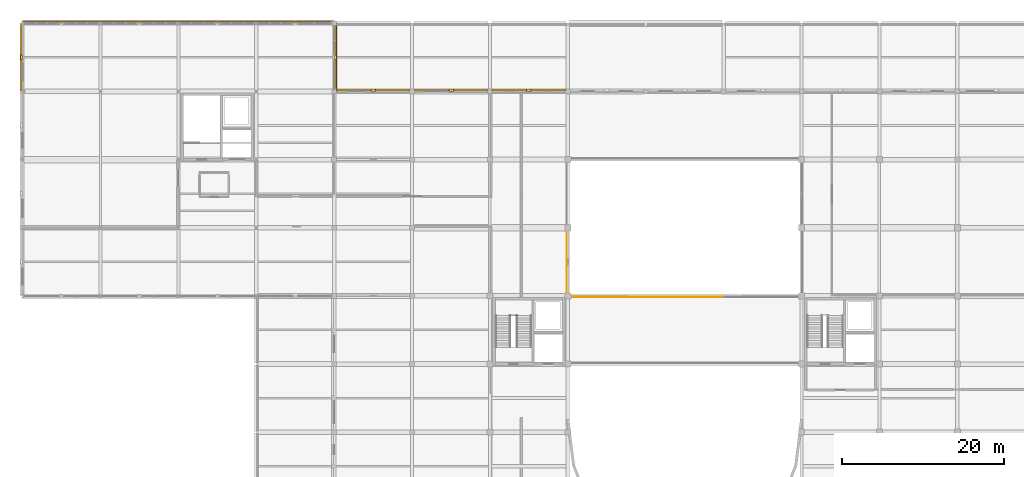
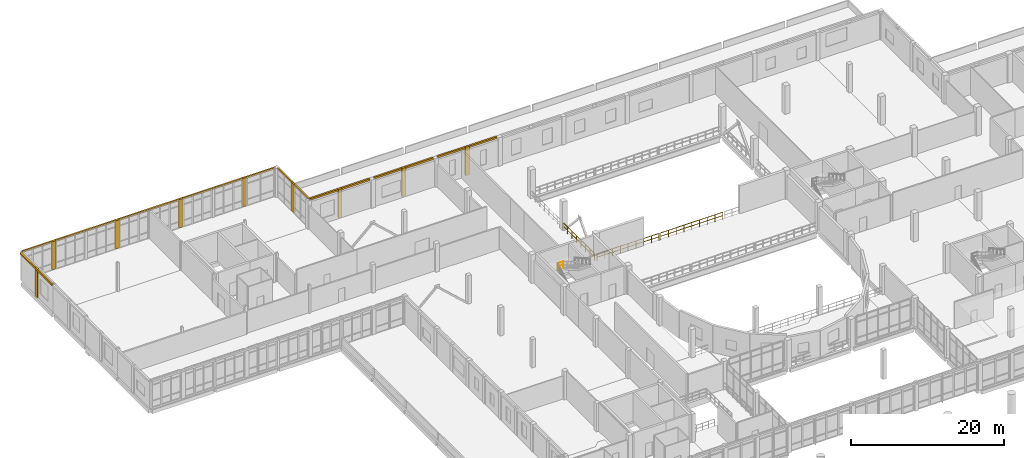
# One storey, part 86 of 88: 18 coverings, 4 railings.
"""IFC4 building model written with IfcOpenShell, lengths in metres."""

from ifc_helpers import new_model, si_unit, direction, frame, origin, origin_2d, place, context, subcontext, project, spatial, polyline, circle, outline, extrude, material, layer, layer_set, type_object, element, save


model = new_model("IFC4")

# Units and contexts
model_context = context("Model", 3, precision=1e-05, world=origin(), true_north=direction((0.0, 1.0)))
body_context = subcontext(model_context, "Body", "Model", "MODEL_VIEW")
ifc_project = project(units=[si_unit("LENGTHUNIT", "METRE"), si_unit("AREAUNIT", "SQUARE_METRE"), si_unit("VOLUMEUNIT", "CUBIC_METRE"), si_unit("PLANEANGLEUNIT", "RADIAN"), si_unit("MASSUNIT", "GRAM", prefix="KILO")], contexts=[model_context])

# Site, building, storey
site_placement = place(None, origin())
site = spatial("IfcSite", under=ifc_project, at=site_placement, CompositionType="ELEMENT")
building_placement = place(site_placement, origin())
building = spatial("IfcBuilding", under=site, at=building_placement, Name="Lornevale Opera House", CompositionType="ELEMENT")
storey_placement = place(building_placement, frame((0.0, 0.0, 10.199951171875)))
storey = spatial("IfcBuildingStorey", under=building, at=storey_placement, Name="L03", CompositionType="ELEMENT", Elevation=10.199951171875)

# Railings
ifc_material_1 = material(Name="Structural Steel CSA G40.21 Grade 350W (350 MPa)", Category="steel")
ifc_layer_1 = layer(ifc_material_1, 0.06005859375)
ifc_layer_set_1 = layer_set([ifc_layer_1], Name="Structural Steel CSA G40.21 Grade 350W (350 MPa)")
railing_type_1 = type_object("IfcRailingType", Name="Atrium Acoustic Balustrade 1120", PredefinedType="BALUSTRADE", material=ifc_layer_set_1)
railing_1_placement = place(storey_placement, frame((67.06005859375, 67.320068359375, 0.0)))
element("IfcRailing", 1, at=railing_1_placement, inside=storey, type_object=railing_type_1, Name="Atrium & Bowl Balustrade L03 0350", PredefinedType="BALUSTRADE", context=body_context, shape_type="SweptSolid", body=[
    extrude(circle(Radius=0.02392578125, at=origin_2d()), frame((0.0, 0.0, 1.09619140625), z_axis=(0.0, 1.0, 0.0), x_axis=(-1.0, 0.0, 0.0)), (0.0, 0.0, 1.0), 8.159912109375),
    extrude(circle(Radius=0.02392578125, at=origin_2d()), frame((0.0, 0.0, 0.56005859375), z_axis=(0.0, 1.0, 0.0), x_axis=(-1.0, 0.0, 0.0)), (0.0, 0.0, 1.0), 8.159912109375),
    extrude(circle(Radius=0.02099609375, at=origin_2d()), origin(), (0.0, 0.0, 1.0), 1.072021484375),
    extrude(circle(Radius=0.02099609375, at=origin_2d()), frame((0.0, 1.165771484375, 0.0)), (0.0, 0.0, 1.0), 1.072021484375),
    extrude(circle(Radius=0.02099609375, at=origin_2d()), frame((0.0, 2.331298828125, 0.0)), (0.0, 0.0, 1.0), 1.072021484375),
    extrude(circle(Radius=0.02099609375, at=origin_2d()), frame((0.0, 3.4970703125, 0.0)), (0.0, 0.0, 1.0), 1.072021484375),
    extrude(circle(Radius=0.02099609375, at=origin_2d()), frame((0.0, 4.662841796875, 0.0)), (0.0, 0.0, 1.0), 1.072021484375),
    extrude(circle(Radius=0.02099609375, at=origin_2d()), frame((0.0, 5.82861328125, 0.0)), (0.0, 0.0, 1.0), 1.072021484375),
    extrude(circle(Radius=0.02099609375, at=origin_2d()), frame((0.0, 6.994140625, 0.0)), (0.0, 0.0, 1.0), 1.072021484375),
    extrude(circle(Radius=0.02099609375, at=origin_2d()), frame((0.0, 8.159912109375, 0.0)), (0.0, 0.0, 1.0), 1.072021484375),
])
railing_2_placement = place(storey_placement, frame((67.320068359375, 67.06005859375, 0.0)))
element("IfcRailing", 2, at=railing_2_placement, inside=storey, type_object=railing_type_1, Name="Atrium & Bowl Balustrade L03 0355", PredefinedType="BALUSTRADE", context=body_context, shape_type="SweptSolid", body=[
    extrude(circle(Radius=0.02392578125, at=origin_2d()), frame((0.0, 0.0, 1.09619140625), z_axis=(1.0, 0.0, 0.0), x_axis=(0.0, 1.0, 0.0)), (0.0, 0.0, 1.0), 9.35986328125),
    extrude(circle(Radius=0.02392578125, at=origin_2d()), frame((0.0, 0.0, 0.56005859375), z_axis=(1.0, 0.0, 0.0), x_axis=(0.0, 1.0, 0.0)), (0.0, 0.0, 1.0), 9.35986328125),
    extrude(circle(Radius=0.02099609375, at=origin_2d()), origin(), (0.0, 0.0, 1.0), 1.072021484375),
    extrude(circle(Radius=0.02099609375, at=origin_2d()), frame((1.169921875, 0.0, 0.0)), (0.0, 0.0, 1.0), 1.072021484375),
    extrude(circle(Radius=0.02099609375, at=origin_2d()), frame((2.33984375, 0.0, 0.0)), (0.0, 0.0, 1.0), 1.072021484375),
    extrude(circle(Radius=0.02099609375, at=origin_2d()), frame((3.510009765625, 0.0, 0.0)), (0.0, 0.0, 1.0), 1.072021484375),
    extrude(circle(Radius=0.02099609375, at=origin_2d()), frame((4.679931640625, 0.0, 0.0)), (0.0, 0.0, 1.0), 1.072021484375),
    extrude(circle(Radius=0.02099609375, at=origin_2d()), frame((5.849853515625, 0.0, 0.0)), (0.0, 0.0, 1.0), 1.072021484375),
    extrude(circle(Radius=0.02099609375, at=origin_2d()), frame((7.02001953125, 0.0, 0.0)), (0.0, 0.0, 1.0), 1.072021484375),
    extrude(circle(Radius=0.02099609375, at=origin_2d()), frame((8.18994140625, 0.0, 0.0)), (0.0, 0.0, 1.0), 1.072021484375),
    extrude(circle(Radius=0.02099609375, at=origin_2d()), frame((9.35986328125, 0.0, 0.0)), (0.0, 0.0, 1.0), 1.072021484375),
])
railing_3_placement = place(storey_placement, frame((76.919921875, 67.06005859375, 0.0)))
element("IfcRailing", 3, at=railing_3_placement, inside=storey, type_object=railing_type_1, Name="Atrium & Bowl Balustrade L03 0360", PredefinedType="BALUSTRADE", context=body_context, shape_type="SweptSolid", body=[
    extrude(circle(Radius=0.02392578125, at=origin_2d()), frame((0.0, 0.0, 1.09619140625), z_axis=(1.0, 0.0, 0.0), x_axis=(0.0, 1.0, 0.0)), (0.0, 0.0, 1.0), 9.360107421875),
    extrude(circle(Radius=0.02392578125, at=origin_2d()), frame((0.0, 0.0, 0.56005859375), z_axis=(1.0, 0.0, 0.0), x_axis=(0.0, 1.0, 0.0)), (0.0, 0.0, 1.0), 9.360107421875),
    extrude(circle(Radius=0.02099609375, at=origin_2d()), origin(), (0.0, 0.0, 1.0), 1.072021484375),
    extrude(circle(Radius=0.02099609375, at=origin_2d()), frame((1.169921875, 0.0, 0.0)), (0.0, 0.0, 1.0), 1.072021484375),
    extrude(circle(Radius=0.02099609375, at=origin_2d()), frame((2.340087890625, 0.0, 0.0)), (0.0, 0.0, 1.0), 1.072021484375),
    extrude(circle(Radius=0.02099609375, at=origin_2d()), frame((3.510009765625, 0.0, 0.0)), (0.0, 0.0, 1.0), 1.072021484375),
    extrude(circle(Radius=0.02099609375, at=origin_2d()), frame((4.68017578125, 0.0, 0.0)), (0.0, 0.0, 1.0), 1.072021484375),
    extrude(circle(Radius=0.02099609375, at=origin_2d()), frame((5.85009765625, 0.0, 0.0)), (0.0, 0.0, 1.0), 1.072021484375),
    extrude(circle(Radius=0.02099609375, at=origin_2d()), frame((7.02001953125, 0.0, 0.0)), (0.0, 0.0, 1.0), 1.072021484375),
    extrude(circle(Radius=0.02099609375, at=origin_2d()), frame((8.190185546875, 0.0, 0.0)), (0.0, 0.0, 1.0), 1.072021484375),
    extrude(circle(Radius=0.02099609375, at=origin_2d()), frame((9.360107421875, 0.0, 0.0)), (0.0, 0.0, 1.0), 1.072021484375),
])

# Coverings
ifc_material_2 = material(Name="Precast Concrete 40 MPa (CSA A23.1 C-1)", Category="concrete")
ifc_layer_2 = layer(ifc_material_2, 0.260009765625)
ifc_layer_set_2 = layer_set([ifc_layer_2], Name="Precast Concrete 40 MPa (CSA A23.1 C-1)")
covering_type_1 = type_object("IfcCoveringType", Name="Postmodern Sandstone Pilaster Rib", PredefinedType="CLADDING", material=ifc_layer_set_2)
covering_1_placement = place(storey_placement, origin())
element("IfcCovering", 4, at=covering_1_placement, inside=storey, type_object=covering_type_1, Name="Postmodern Sandstone Mullion Pier 0267", PredefinedType="CLADDING", context=body_context, shape_type="SweptSolid", body=[
    extrude(outline(polyline([(4.52001953125, 100.800048828125), (5.080078125, 100.800048828125), (5.080078125, 101.080078125), (4.52001953125, 101.080078125), (4.52001953125, 100.800048828125)])), origin(), (0.0, 0.0, 1.0), 4.5400390625),
])
covering_2_placement = place(storey_placement, origin())
element("IfcCovering", 5, at=covering_2_placement, inside=storey, type_object=covering_type_1, Name="Postmodern Sandstone Pilaster 0269", PredefinedType="CLADDING", context=body_context, shape_type="SweptSolid", body=[
    extrude(outline(polyline([(0.0, 96.320068359375), (0.0, 96.8798828125), (-0.280029296875, 96.8798828125), (-0.280029296875, 96.320068359375), (0.0, 96.320068359375)])), origin(), (0.0, 0.0, 1.0), 4.5400390625),
])
covering_3_placement = place(storey_placement, origin())
element("IfcCovering", 6, at=covering_3_placement, inside=storey, type_object=covering_type_1, Name="Postmodern Sandstone Mullion Pier 0277", PredefinedType="CLADDING", context=body_context, shape_type="SweptSolid", body=[
    extrude(outline(polyline([(14.1201171875, 100.800048828125), (14.679931640625, 100.800048828125), (14.679931640625, 101.080078125), (14.1201171875, 101.080078125), (14.1201171875, 100.800048828125)])), origin(), (0.0, 0.0, 1.0), 4.5400390625),
])
covering_4_placement = place(storey_placement, origin())
element("IfcCovering", 7, at=covering_4_placement, inside=storey, type_object=covering_type_1, Name="Postmodern Sandstone Mullion Pier 0285", PredefinedType="CLADDING", context=body_context, shape_type="SweptSolid", body=[
    extrude(outline(polyline([(23.719970703125, 100.800048828125), (24.280029296875, 100.800048828125), (24.280029296875, 101.080078125), (23.719970703125, 101.080078125), (23.719970703125, 100.800048828125)])), origin(), (0.0, 0.0, 1.0), 4.5400390625),
])
covering_5_placement = place(storey_placement, origin())
element("IfcCovering", 8, at=covering_5_placement, inside=storey, type_object=covering_type_1, Name="Postmodern Sandstone Mullion Pier 0297", PredefinedType="CLADDING", context=body_context, shape_type="SweptSolid", body=[
    extrude(outline(polyline([(33.320068359375, 100.800048828125), (33.8798828125, 100.800048828125), (33.8798828125, 101.080078125), (33.320068359375, 101.080078125), (33.320068359375, 100.800048828125)])), origin(), (0.0, 0.0, 1.0), 4.5400390625),
])
covering_6_placement = place(storey_placement, origin())
element("IfcCovering", 9, at=covering_6_placement, inside=storey, type_object=covering_type_1, Name="Postmodern Sandstone Mullion Pier 0299", PredefinedType="CLADDING", context=body_context, shape_type="SweptSolid", body=[
    extrude(outline(polyline([(38.39990234375, 96.8798828125), (38.39990234375, 96.320068359375), (38.679931640625, 96.320068359375), (38.679931640625, 96.8798828125), (38.39990234375, 96.8798828125)])), origin(), (0.0, 0.0, 1.0), 4.5400390625),
])
covering_7_placement = place(storey_placement, origin())
element("IfcCovering", 10, at=covering_7_placement, inside=storey, type_object=covering_type_1, Name="Postmodern Sandstone Pilaster 0313", PredefinedType="CLADDING", context=body_context, shape_type="SweptSolid", body=[
    extrude(outline(polyline([(42.907958984375, 92.39990234375), (43.468017578125, 92.39990234375), (43.468017578125, 92.679931640625), (42.907958984375, 92.679931640625), (42.907958984375, 92.39990234375)])), origin(), (0.0, 0.0, 1.0), 4.5400390625),
])
covering_8_placement = place(storey_placement, origin())
element("IfcCovering", 11, at=covering_8_placement, inside=storey, type_object=covering_type_1, Name="Postmodern Sandstone Pilaster 0317", PredefinedType="CLADDING", context=body_context, shape_type="SweptSolid", body=[
    extrude(outline(polyline([(52.531982421875, 92.39990234375), (53.092041015625, 92.39990234375), (53.092041015625, 92.679931640625), (52.531982421875, 92.679931640625), (52.531982421875, 92.39990234375)])), origin(), (0.0, 0.0, 1.0), 4.5400390625),
])
covering_9_placement = place(storey_placement, origin())
element("IfcCovering", 12, at=covering_9_placement, inside=storey, type_object=covering_type_1, Name="Postmodern Sandstone Pilaster 0321", PredefinedType="CLADDING", context=body_context, shape_type="SweptSolid", body=[
    extrude(outline(polyline([(62.10791015625, 92.39990234375), (62.66796875, 92.39990234375), (62.66796875, 92.679931640625), (62.10791015625, 92.679931640625), (62.10791015625, 92.39990234375)])), origin(), (0.0, 0.0, 1.0), 4.5400390625),
])
ifc_material_3 = material(Name="Queenston Buff Limestone Ashlar Masonry (25 MPa)", Category="masonry")
ifc_layer_3 = layer(ifc_material_3, 0.1201171875)
ifc_layer_set_3 = layer_set([ifc_layer_3], Name="Queenston Buff Limestone Ashlar Masonry (25 MPa)")
covering_type_2 = type_object("IfcCoveringType", Name="Precast Limestone Cornice Band", PredefinedType="CLADDING", material=ifc_layer_set_3)
covering_10_placement = place(storey_placement, frame((0.0, 0.0, 4.280029296875)))
element("IfcCovering", 13, at=covering_10_placement, inside=storey, type_object=covering_type_2, Name="Precast Limestone Cornice Band 0268", PredefinedType="CLADDING", context=body_context, shape_type="SweptSolid", body=[
    extrude(outline(polyline([(0.0, 100.8798828125), (9.60009765625, 100.8798828125), (9.60009765625, 101.1201171875), (0.0, 101.1201171875), (0.0, 100.8798828125)])), origin(), (0.0, 0.0, 1.0), 0.260009765625),
])
covering_11_placement = place(storey_placement, frame((0.0, 0.0, 4.260009765625)))
element("IfcCovering", 14, at=covering_11_placement, inside=storey, type_object=covering_type_2, Name="Precast Limestone Cornice Band 0270", PredefinedType="CLADDING", context=body_context, shape_type="SweptSolid", body=[
    extrude(outline(polyline([(-0.06005859375, 92.419921875), (-0.06005859375, 100.780029296875), (-0.320068359375, 100.780029296875), (-0.320068359375, 92.419921875), (-0.06005859375, 92.419921875)])), origin(), (0.0, 0.0, 1.0), 0.280029296875),
])
covering_12_placement = place(storey_placement, frame((0.0, 0.0, 4.280029296875)))
element("IfcCovering", 15, at=covering_12_placement, inside=storey, type_object=covering_type_2, Name="Precast Limestone Cornice Band 0278", PredefinedType="CLADDING", context=body_context, shape_type="SweptSolid", body=[
    extrude(outline(polyline([(9.60009765625, 100.8798828125), (19.199951171875, 100.8798828125), (19.199951171875, 101.1201171875), (9.60009765625, 101.1201171875), (9.60009765625, 100.8798828125)])), origin(), (0.0, 0.0, 1.0), 0.260009765625),
])
covering_13_placement = place(storey_placement, frame((0.0, 0.0, 4.280029296875)))
element("IfcCovering", 16, at=covering_13_placement, inside=storey, type_object=covering_type_2, Name="Precast Limestone Cornice Band 0286", PredefinedType="CLADDING", context=body_context, shape_type="SweptSolid", body=[
    extrude(outline(polyline([(19.199951171875, 100.8798828125), (28.800048828125, 100.8798828125), (28.800048828125, 101.1201171875), (19.199951171875, 101.1201171875), (19.199951171875, 100.8798828125)])), origin(), (0.0, 0.0, 1.0), 0.260009765625),
])
covering_14_placement = place(storey_placement, frame((0.0, 0.0, 4.280029296875)))
element("IfcCovering", 17, at=covering_14_placement, inside=storey, type_object=covering_type_2, Name="Precast Limestone Cornice Band 0298", PredefinedType="CLADDING", context=body_context, shape_type="SweptSolid", body=[
    extrude(outline(polyline([(28.800048828125, 100.8798828125), (38.39990234375, 100.8798828125), (38.39990234375, 101.1201171875), (28.800048828125, 101.1201171875), (28.800048828125, 100.8798828125)])), origin(), (0.0, 0.0, 1.0), 0.260009765625),
])
covering_15_placement = place(storey_placement, frame((0.0, 0.0, 4.280029296875)))
element("IfcCovering", 18, at=covering_15_placement, inside=storey, type_object=covering_type_2, Name="Precast Limestone Cornice Band 0300", PredefinedType="CLADDING", context=body_context, shape_type="SweptSolid", body=[
    extrude(outline(polyline([(38.47998046875, 100.800048828125), (38.47998046875, 92.39990234375), (38.719970703125, 92.39990234375), (38.719970703125, 100.800048828125), (38.47998046875, 100.800048828125)])), origin(), (0.0, 0.0, 1.0), 0.260009765625),
])
covering_16_placement = place(storey_placement, frame((0.0, 0.0, 4.260009765625)))
element("IfcCovering", 19, at=covering_16_placement, inside=storey, type_object=covering_type_2, Name="Precast Limestone Cornice Band 0314", PredefinedType="CLADDING", context=body_context, shape_type="SweptSolid", body=[
    extrude(outline(polyline([(38.675048828125, 92.4599609375), (47.699951171875, 92.4599609375), (47.699951171875, 92.719970703125), (38.675048828125, 92.719970703125), (38.675048828125, 92.4599609375)])), origin(), (0.0, 0.0, 1.0), 0.280029296875),
])
covering_17_placement = place(storey_placement, frame((0.0, 0.0, 4.260009765625)))
element("IfcCovering", 20, at=covering_17_placement, inside=storey, type_object=covering_type_2, Name="Precast Limestone Cornice Band 0318", PredefinedType="CLADDING", context=body_context, shape_type="SweptSolid", body=[
    extrude(outline(polyline([(48.300048828125, 92.4599609375), (57.324951171875, 92.4599609375), (57.324951171875, 92.719970703125), (48.300048828125, 92.719970703125), (48.300048828125, 92.4599609375)])), origin(), (0.0, 0.0, 1.0), 0.280029296875),
])
covering_18_placement = place(storey_placement, frame((0.0, 0.0, 4.260009765625)))
element("IfcCovering", 21, at=covering_18_placement, inside=storey, type_object=covering_type_2, Name="Precast Limestone Cornice Band 0322", PredefinedType="CLADDING", context=body_context, shape_type="SweptSolid", body=[
    extrude(outline(polyline([(57.875, 92.4599609375), (66.89990234375, 92.4599609375), (66.89990234375, 92.719970703125), (57.875, 92.719970703125), (57.875, 92.4599609375)])), origin(), (0.0, 0.0, 1.0), 0.280029296875),
])

# Railing
ifc_layer_4 = layer(ifc_material_1, 0.050048828125)
ifc_layer_set_4 = layer_set([ifc_layer_4], Name="Structural Steel CSA G40.21 Grade 350W (350 MPa)")
railing_type_2 = type_object("IfcRailingType", Name="Stair Well Guardrail 1100", PredefinedType="GUARDRAIL", material=ifc_layer_set_4)
railing_4_placement = place(storey_placement, frame((60.080078125, 64.81005859375, 2.400146484375)))
element("IfcRailing", 22, at=railing_4_placement, inside=storey, type_object=railing_type_2, Name="ST-18 Half-Landing Slot Guard", PredefinedType="GUARDRAIL", context=body_context, shape_type="SweptSolid", body=[
    extrude(circle(Radius=0.02392578125, at=origin_2d()), frame((0.0, 0.0, 1.076171875), z_axis=(1.0, 0.0, 0.0), x_axis=(0.0, 1.0, 0.0)), (0.0, 0.0, 1.0), 0.83984375),
    extrude(circle(Radius=0.02392578125, at=origin_2d()), frame((0.0, 0.0, 0.550048828125), z_axis=(1.0, 0.0, 0.0), x_axis=(0.0, 1.0, 0.0)), (0.0, 0.0, 1.0), 0.83984375),
    extrude(circle(Radius=0.02099609375, at=origin_2d()), origin(), (0.0, 0.0, 1.0), 1.052001953125),
    extrude(circle(Radius=0.02099609375, at=origin_2d()), frame((0.83984375, 0.0, 0.0)), (0.0, 0.0, 1.0), 1.052001953125),
])

save(model, "model.ifc")
